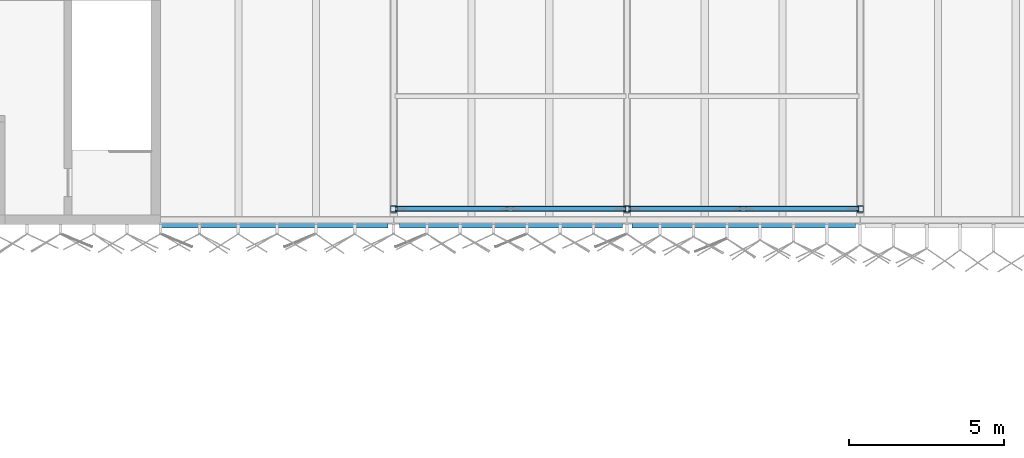
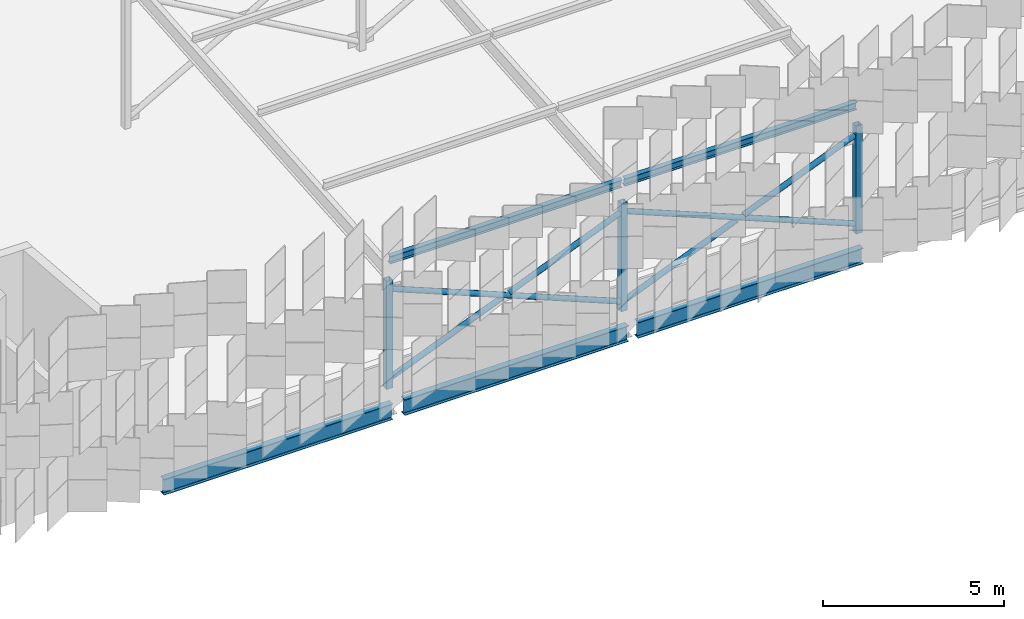
# One storey, part 79 of 483: 11 members, 3 beams.
"""IFC4 building model written with IfcOpenShell, lengths in metres."""

from ifc_helpers import new_model, si_unit, direction, frame, origin, origin_2d, place, context, subcontext, project, spatial, hollow_rectangle, hollow_circle, i_section, extrude, material, material_profile, profile_set, type_object, element, save


model = new_model("IFC4")

# Units and contexts
model_context = context("Model", 3, precision=1e-05, world=origin(), true_north=direction((0.0, 1.0)))
body_context = subcontext(model_context, "Body", "Model", "MODEL_VIEW")
ifc_project = project(units=[si_unit("LENGTHUNIT", "METRE"), si_unit("AREAUNIT", "SQUARE_METRE"), si_unit("VOLUMEUNIT", "CUBIC_METRE"), si_unit("PLANEANGLEUNIT", "RADIAN"), si_unit("MASSUNIT", "GRAM", prefix="KILO")], contexts=[model_context])

# Site, building, storey
site_placement = place(None, origin())
site = spatial("IfcSite", under=ifc_project, at=site_placement, CompositionType="ELEMENT")
building_placement = place(site_placement, origin())
building = spatial("IfcBuilding", under=site, at=building_placement, Name="Parallax Yard Mobility Hub", CompositionType="ELEMENT")
storey_placement = place(building_placement, frame((0.0, 0.0, 13.199951171875)))
storey = spatial("IfcBuildingStorey", under=building, at=storey_placement, Name="L04", CompositionType="ELEMENT", Elevation=13.199951171875)

# Members
ifc_material_1 = material(Name="Steel ASTM A500 Gr C", Category="steel")
ifc_material_profile_1 = material_profile(ifc_material_1, hollow_circle(Radius=0.0888671875, WallThickness=0.0078125, at=origin_2d()), Name="HSS177.8x7.9")
ifc_profile_set_1 = profile_set([ifc_material_profile_1], Name="Steel ASTM A500 Gr C")
member_type_1 = type_object("IfcMemberType", Name="Canopy brace HSS177.8x7.9", PredefinedType="BRACE", material=ifc_profile_set_1)
member_1_placement = place(storey_placement, frame((157.413330078125, 113.0, 0.300048828125), z_axis=(-0.925869010623, 0.0, 0.377844644222), x_axis=(0.0, -1.0, 0.0)))
element("IfcMember", 1, at=member_1_placement, inside=storey, type_object=member_type_1, Name="Canopy X brace RA bay N-C bay 1 diagonal B", PredefinedType="BRACE", context=body_context, shape_type="SweptSolid", body=[
    extrude(hollow_circle(Radius=0.0888671875, WallThickness=0.0078125, at=origin_2d()), origin(), (0.0, 0.0, 1.0), 7.913330078125),
])
for number, where, z_axis, x_axis, name in (
    (2, (150.086669921875, 113.0, 0.300048828125), (0.925875790589, 0.0, 0.377828030196), (0.0, 1.0, 0.0), "Canopy X brace RA bay N-C bay 1 diagonal A part 1"),
    (3, (153.8583984375, 113.0, 1.83935546875), (0.925875790589, 0.0, 0.377828030196), (0.0, 1.0, 0.0), "Canopy X brace RA bay N-C bay 1 diagonal A part 2"),
):
    element("IfcMember", number, at=place(storey_placement, frame(where, z_axis=z_axis, x_axis=x_axis)), inside=storey, type_object=member_type_1, Name=name, PredefinedType="BRACE", context=body_context, shape_type="SweptSolid", body=[
        extrude(hollow_circle(Radius=0.0888671875, WallThickness=0.0078125, at=origin_2d()), origin(), (0.0, 0.0, 1.0), 3.839599609375),
    ])
member_2_placement = place(storey_placement, frame((164.913330078125, 113.0, 0.300048828125), z_axis=(-0.925869010623, 0.0, 0.377844644222), x_axis=(0.0, -1.0, 0.0)))
element("IfcMember", 4, at=member_2_placement, inside=storey, type_object=member_type_1, Name="Canopy X brace RA bay N-C bay 2 diagonal B", PredefinedType="BRACE", context=body_context, shape_type="SweptSolid", body=[
    extrude(hollow_circle(Radius=0.0888671875, WallThickness=0.0078125, at=origin_2d()), origin(), (0.0, 0.0, 1.0), 7.913330078125),
])
for number, where, z_axis, x_axis, name in (
    (5, (157.586669921875, 113.0, 0.300048828125), (0.925875790589, 0.0, 0.377828030196), (0.0, 1.0, 0.0), "Canopy X brace RA bay N-C bay 2 diagonal A part 1"),
    (6, (161.3583984375, 113.0, 1.83935546875), (0.925875790589, 0.0, 0.377828030196), (0.0, 1.0, 0.0), "Canopy X brace RA bay N-C bay 2 diagonal A part 2"),
):
    element("IfcMember", number, at=place(storey_placement, frame(where, z_axis=z_axis, x_axis=x_axis)), inside=storey, type_object=member_type_1, Name=name, PredefinedType="BRACE", context=body_context, shape_type="SweptSolid", body=[
        extrude(hollow_circle(Radius=0.0888671875, WallThickness=0.0078125, at=origin_2d()), origin(), (0.0, 0.0, 1.0), 3.839599609375),
    ])
ifc_material_profile_2 = material_profile(ifc_material_1, hollow_rectangle(XDim=0.203125, YDim=0.203125, WallThickness=0.009521484375, at=origin_2d()), Name="HSS203x203x9.5")
ifc_profile_set_2 = profile_set([ifc_material_profile_2], Name="Steel ASTM A500 Gr C")
member_type_2 = type_object("IfcMemberType", Name="Canopy post HSS203x203x9.5", PredefinedType="POST", material=ifc_profile_set_2)
for number, where, z_axis, x_axis, name in (
    (7, (150.0, 113.0, 0.0), (0.0, 0.0, 1.0), (1.0, 0.0, 0.0), "Canopy post RA/N-C1"),
    (8, (157.5, 113.0, 0.0), (0.0, 0.0, 1.0), (1.0, 0.0, 0.0), "Canopy post RA/N-C2"),
    (9, (165.0, 113.0, 0.0), (0.0, 0.0, 1.0), (1.0, 0.0, 0.0), "Canopy post RA/N-C3"),
):
    element("IfcMember", number, at=place(storey_placement, frame(where, z_axis=z_axis, x_axis=x_axis)), inside=storey, type_object=member_type_2, Name=name, PredefinedType="POST", context=body_context, shape_type="SweptSolid", body=[
        extrude(hollow_rectangle(XDim=0.203125, YDim=0.203125, WallThickness=0.009521484375, at=origin_2d()), origin(), (0.0, 0.0, 1.0), 3.650146484375),
    ])
ifc_material_2 = material(Name="Steel ASTM A992", Category="steel")
ifc_material_profile_3 = material_profile(ifc_material_2, i_section(OverallWidth=0.14794921875, OverallDepth=0.26611328125, WebThickness=0.007568359375, FlangeThickness=0.012939453125, at=origin_2d()), Name="W250x45")
ifc_profile_set_3 = profile_set([ifc_material_profile_3], Name="Steel ASTM A992")
member_type_3 = type_object("IfcMemberType", Name="Canopy purlin W250x45", PredefinedType="PURLIN", material=ifc_profile_set_3)
for number, where, z_axis, x_axis, name in (
    (10, (150.0400390625, 113.010498046875, 4.302001953125), (1.0, 0.0, 0.0), (0.0, 0.996815308126, 0.079744852409), "Canopy purlin sector N-C bay 1 line 1"),
    (11, (157.5400390625, 113.010498046875, 4.302001953125), (1.0, 0.0, 0.0), (0.0, 0.996815308126, 0.079744852409), "Canopy purlin sector N-C bay 2 line 1"),
):
    element("IfcMember", number, at=place(storey_placement, frame(where, z_axis=z_axis, x_axis=x_axis)), inside=storey, type_object=member_type_3, Name=name, PredefinedType="PURLIN", context=body_context, shape_type="SweptSolid", body=[
        extrude(i_section(OverallWidth=0.14794921875, OverallDepth=0.26611328125, WebThickness=0.007568359375, FlangeThickness=0.012939453125, at=origin_2d()), origin(), (0.0, 0.0, 1.0), 7.419921875),
    ])

# Beams
ifc_material_profile_4 = material_profile(ifc_material_2, i_section(OverallWidth=0.208984375, OverallDepth=0.532958984375, WebThickness=0.01025390625, FlangeThickness=0.015625, FilletRadius=0.0126953125, at=origin_2d()), Name="W530x92")
ifc_profile_set_4 = profile_set([ifc_material_profile_4], Name="Steel ASTM A992")
beam_type = type_object("IfcBeamType", Name="W530x92 edge beam", PredefinedType="SPANDREL", material=ifc_profile_set_4)
beam_1_placement = place(storey_placement, frame((142.5, 112.5, -0.406494140625), z_axis=(1.0, 0.0, 0.0), x_axis=(0.0, 1.0, 0.0)))
element("IfcBeam", 12, at=beam_1_placement, inside=storey, type_object=beam_type, Name="Edge beam SB5 level L04, line R of ramped parking decks, span 12", PredefinedType="SPANDREL", context=body_context, shape_type="SweptSolid", body=[
    extrude(i_section(OverallWidth=0.208984375, OverallDepth=0.532958984375, WebThickness=0.01025390625, FlangeThickness=0.015625, FilletRadius=0.0126953125, at=origin_2d()), origin(), (0.0, 0.0, 1.0), 7.3134765625),
])
beam_2_placement = place(storey_placement, frame((150.1865234375, 112.5, -0.406494140625), z_axis=(1.0, 0.0, 0.0), x_axis=(0.0, 1.0, 0.0)))
element("IfcBeam", 13, at=beam_2_placement, inside=storey, type_object=beam_type, Name="Edge beam SB5 level L04, line R of ramped parking decks, span 13", PredefinedType="SPANDREL", context=body_context, shape_type="SweptSolid", body=[
    extrude(i_section(OverallWidth=0.208984375, OverallDepth=0.532958984375, WebThickness=0.01025390625, FlangeThickness=0.015625, FilletRadius=0.0126953125, at=origin_2d()), origin(), (0.0, 0.0, 1.0), 7.160888671875),
])
beam_3_placement = place(storey_placement, frame((157.652587890625, 112.5, -0.406494140625), z_axis=(1.0, 0.0, 0.0), x_axis=(0.0, 1.0, 0.0)))
element("IfcBeam", 14, at=beam_3_placement, inside=storey, type_object=beam_type, Name="Edge beam SB5 level L04, line R of ramped parking decks, span 14", PredefinedType="SPANDREL", context=body_context, shape_type="SweptSolid", body=[
    extrude(i_section(OverallWidth=0.208984375, OverallDepth=0.532958984375, WebThickness=0.01025390625, FlangeThickness=0.015625, FilletRadius=0.0126953125, at=origin_2d()), origin(), (0.0, 0.0, 1.0), 7.19482421875),
])

save(model, "model.ifc")
